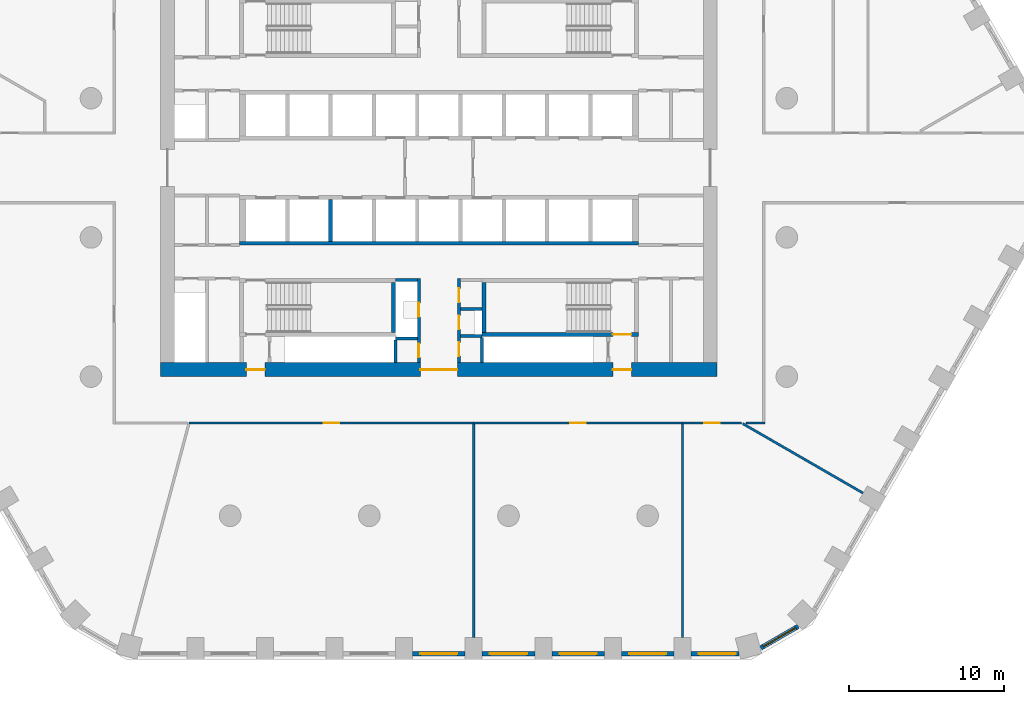
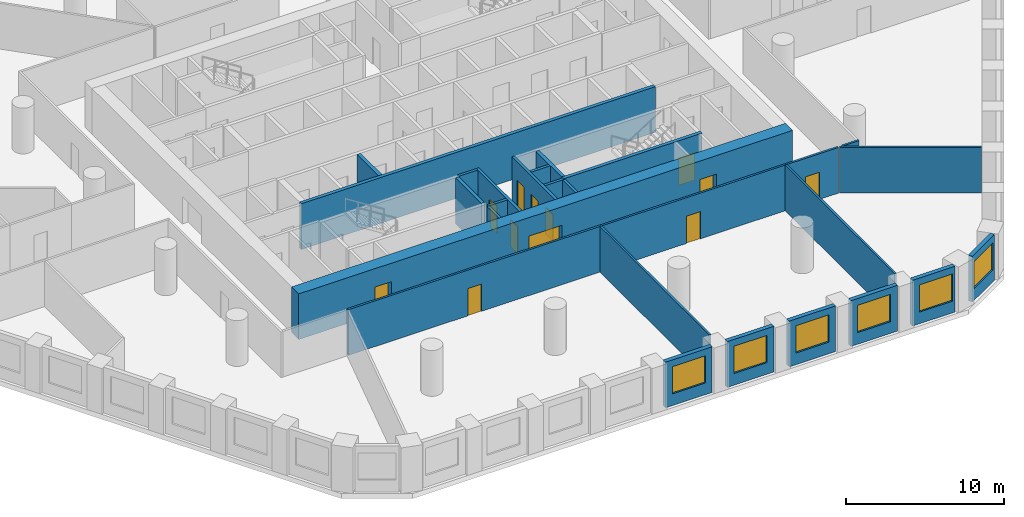
# One storey, part 3 of 10: 27 walls, 12 doors, 6 windows, 18 openings.
"""IFC4 building model written with IfcOpenShell, lengths in metres."""

from ifc_helpers import new_model, si_unit, direction, frame, frame_2d, origin, place, context, subcontext, project, spatial, polyline, rectangle, outline, extrude, material, layer, layer_set, type_object, element, fill, save


model = new_model("IFC4")

# Units and contexts
model_context = context("Model", 3, precision=1e-05, world=origin(), true_north=direction((0.0, 1.0)))
body_context = subcontext(model_context, "Body", "Model", "MODEL_VIEW")
ifc_project = project(units=[si_unit("LENGTHUNIT", "METRE"), si_unit("AREAUNIT", "SQUARE_METRE"), si_unit("VOLUMEUNIT", "CUBIC_METRE"), si_unit("PLANEANGLEUNIT", "RADIAN"), si_unit("MASSUNIT", "GRAM", prefix="KILO")], contexts=[model_context])

# Site, building, storey
site_placement = place(None, origin())
site = spatial("IfcSite", under=ifc_project, at=site_placement, CompositionType="ELEMENT")
building_placement = place(site_placement, origin())
building = spatial("IfcBuilding", under=site, at=building_placement, Name="Dhurran Vertical Campus", CompositionType="ELEMENT")
storey_placement = place(building_placement, frame((0.0, 0.0, 61.199951171875)))
storey = spatial("IfcBuildingStorey", under=building, at=storey_placement, Name="L14", CompositionType="ELEMENT", Elevation=61.199951171875)

# Wall, opening, window
ifc_material_1 = material(Name="Precast concrete C50/60", Category="concrete")
ifc_layer_1 = layer(ifc_material_1, 0.300048828125)
ifc_layer_set_1 = layer_set([ifc_layer_1], Name="Precast concrete C50/60")
wall_type_1 = type_object("IfcWallType", Name="Precast spandrel wall 300", PredefinedType="SOLIDWALL", material=ifc_layer_set_1)
wall_1_placement = place(storey_placement, frame((-1.699462890625, -31.4296875, 0.0), z_axis=(0.0, 0.0, 1.0), x_axis=(1.0, 0.0, 0.0)))
wall_1 = element("IfcWall", 1, at=wall_1_placement, inside=storey, type_object=wall_type_1, Name="EW1 L14.04", PredefinedType="SOLIDWALL", context=body_context, shape_type="SweptSolid", body=[
    extrude(rectangle(XDim=3.39892578125, YDim=0.300048828125, at=frame_2d((1.699462890625, 0.0))), origin(), (0.0, 0.0, 1.0), 3.525146484375),
])
opening_1_placement = place(wall_1_placement, frame((0.49951171875, 0.0, 0.89990234375)))
opening_1 = element("IfcOpeningElement", 2, at=opening_1_placement, cuts=wall_1, Name="Opening WT1", PredefinedType="OPENING", context=body_context, shape_type="SweptSolid", body=[
    extrude(rectangle(XDim=2.39990234375, YDim=2.10009765625, at=frame_2d((1.199951171875, 1.050048828125))), frame((0.0, 0.159912109375, 0.0), z_axis=(0.0, -1.0, 0.0), x_axis=(1.0, 0.0, 0.0)), (0.0, 0.0, 1.0), 0.320068359375),
])
ifc_material_2 = material(Name="Aluminium frame with solar-control glass", Category="aluminium")
window_type = type_object("IfcWindowType", Name="Punched window 2400 x 2100", PartitioningType="SINGLE_PANEL", PredefinedType="WINDOW", material=ifc_material_2)
window_1_placement = place(opening_1_placement, origin())
window_1 = element("IfcWindow", 3, at=window_1_placement, inside=storey, type_object=window_type, Name="WT1 L14.04", OverallHeight=2.10009765625, OverallWidth=2.39990234375, PartitioningType="SINGLE_PANEL", PredefinedType="WINDOW", context=body_context, shape_type="SweptSolid", body=[
    extrude(rectangle(XDim=2.39990234375, YDim=2.10009765625, at=frame_2d((1.199951171875, 1.050048828125))), frame((0.0, 0.030029296875, 0.0), z_axis=(0.0, -1.0, 0.0), x_axis=(1.0, 0.0, 0.0)), (0.0, 0.0, 1.0), 0.06005859375),
])
fill(opening_1, window_1)

wall_2_placement = place(storey_placement, frame((2.800537109375, -31.4296875, 0.0), z_axis=(0.0, 0.0, 1.0), x_axis=(1.0, 0.0, 0.0)))
wall_2 = element("IfcWall", 4, at=wall_2_placement, inside=storey, type_object=wall_type_1, Name="EW1 L14.05", PredefinedType="SOLIDWALL", context=body_context, shape_type="SweptSolid", body=[
    extrude(rectangle(XDim=3.39892578125, YDim=0.300048828125, at=frame_2d((1.699462890625, 0.0))), origin(), (0.0, 0.0, 1.0), 3.525146484375),
])
opening_2_placement = place(wall_2_placement, frame((0.49951171875, 0.0, 0.89990234375)))
opening_2 = element("IfcOpeningElement", 5, at=opening_2_placement, cuts=wall_2, Name="Opening WT1", PredefinedType="OPENING", context=body_context, shape_type="SweptSolid", body=[
    extrude(rectangle(XDim=2.39990234375, YDim=2.10009765625, at=frame_2d((1.199951171875, 1.050048828125))), frame((0.0, 0.159912109375, 0.0), z_axis=(0.0, -1.0, 0.0), x_axis=(1.0, 0.0, 0.0)), (0.0, 0.0, 1.0), 0.320068359375),
])
window_2_placement = place(opening_2_placement, origin())
window_2 = element("IfcWindow", 6, at=window_2_placement, inside=storey, type_object=window_type, Name="WT1 L14.05", OverallHeight=2.10009765625, OverallWidth=2.39990234375, PartitioningType="SINGLE_PANEL", PredefinedType="WINDOW", context=body_context, shape_type="SweptSolid", body=[
    extrude(rectangle(XDim=2.39990234375, YDim=2.10009765625, at=frame_2d((1.199951171875, 1.050048828125))), frame((0.0, 0.030029296875, 0.0), z_axis=(0.0, -1.0, 0.0), x_axis=(1.0, 0.0, 0.0)), (0.0, 0.0, 1.0), 0.06005859375),
])
fill(opening_2, window_2)

wall_3_placement = place(storey_placement, frame((7.300537109375, -31.4296875, 0.0), z_axis=(0.0, 0.0, 1.0), x_axis=(1.0, 0.0, 0.0)))
wall_3 = element("IfcWall", 7, at=wall_3_placement, inside=storey, type_object=wall_type_1, Name="EW1 L14.06", PredefinedType="SOLIDWALL", context=body_context, shape_type="SweptSolid", body=[
    extrude(rectangle(XDim=3.39892578125, YDim=0.300048828125, at=frame_2d((1.699462890625, 0.0))), origin(), (0.0, 0.0, 1.0), 3.525146484375),
])
opening_3_placement = place(wall_3_placement, frame((0.49951171875, 0.0, 0.89990234375)))
opening_3 = element("IfcOpeningElement", 8, at=opening_3_placement, cuts=wall_3, Name="Opening WT1", PredefinedType="OPENING", context=body_context, shape_type="SweptSolid", body=[
    extrude(rectangle(XDim=2.39990234375, YDim=2.10009765625, at=frame_2d((1.199951171875, 1.050048828125))), frame((0.0, 0.159912109375, 0.0), z_axis=(0.0, -1.0, 0.0), x_axis=(1.0, 0.0, 0.0)), (0.0, 0.0, 1.0), 0.320068359375),
])
window_3_placement = place(opening_3_placement, origin())
window_3 = element("IfcWindow", 9, at=window_3_placement, inside=storey, type_object=window_type, Name="WT1 L14.06", OverallHeight=2.10009765625, OverallWidth=2.39990234375, PartitioningType="SINGLE_PANEL", PredefinedType="WINDOW", context=body_context, shape_type="SweptSolid", body=[
    extrude(rectangle(XDim=2.39990234375, YDim=2.10009765625, at=frame_2d((1.199951171875, 1.050048828125))), frame((0.0, 0.030029296875, 0.0), z_axis=(0.0, -1.0, 0.0), x_axis=(1.0, 0.0, 0.0)), (0.0, 0.0, 1.0), 0.06005859375),
])
fill(opening_3, window_3)

wall_4_placement = place(storey_placement, frame((11.800537109375, -31.4296875, 0.0), z_axis=(0.0, 0.0, 1.0), x_axis=(1.0, 0.0, 0.0)))
wall_4 = element("IfcWall", 10, at=wall_4_placement, inside=storey, type_object=wall_type_1, Name="EW1 L14.07", PredefinedType="SOLIDWALL", context=body_context, shape_type="SweptSolid", body=[
    extrude(rectangle(XDim=3.39892578125, YDim=0.300048828125, at=frame_2d((1.699462890625, 0.0))), origin(), (0.0, 0.0, 1.0), 3.525146484375),
])
opening_4_placement = place(wall_4_placement, frame((0.49951171875, 0.0, 0.89990234375)))
opening_4 = element("IfcOpeningElement", 11, at=opening_4_placement, cuts=wall_4, Name="Opening WT1", PredefinedType="OPENING", context=body_context, shape_type="SweptSolid", body=[
    extrude(rectangle(XDim=2.39990234375, YDim=2.10009765625, at=frame_2d((1.199951171875, 1.050048828125))), frame((0.0, 0.159912109375, 0.0), z_axis=(0.0, -1.0, 0.0), x_axis=(1.0, 0.0, 0.0)), (0.0, 0.0, 1.0), 0.320068359375),
])
window_4_placement = place(opening_4_placement, origin())
window_4 = element("IfcWindow", 12, at=window_4_placement, inside=storey, type_object=window_type, Name="WT1 L14.07", OverallHeight=2.10009765625, OverallWidth=2.39990234375, PartitioningType="SINGLE_PANEL", PredefinedType="WINDOW", context=body_context, shape_type="SweptSolid", body=[
    extrude(rectangle(XDim=2.39990234375, YDim=2.10009765625, at=frame_2d((1.199951171875, 1.050048828125))), frame((0.0, 0.030029296875, 0.0), z_axis=(0.0, -1.0, 0.0), x_axis=(1.0, 0.0, 0.0)), (0.0, 0.0, 1.0), 0.06005859375),
])
fill(opening_4, window_4)

wall_5_placement = place(storey_placement, frame((16.300537109375, -31.4296875, 0.0), z_axis=(0.0, 0.0, 1.0), x_axis=(1.0, 0.0, 0.0)))
wall_5 = element("IfcWall", 13, at=wall_5_placement, inside=storey, type_object=wall_type_1, Name="EW1 L14.08", PredefinedType="SOLIDWALL", context=body_context, shape_type="SweptSolid", body=[
    extrude(rectangle(XDim=3.090576171875, YDim=0.300048828125, at=frame_2d((1.54541015625, 0.0))), origin(), (0.0, 0.0, 1.0), 3.525146484375),
])
opening_5_placement = place(wall_5_placement, frame((0.49951171875, 0.0, 0.89990234375)))
opening_5 = element("IfcOpeningElement", 14, at=opening_5_placement, cuts=wall_5, Name="Opening WT1", PredefinedType="OPENING", context=body_context, shape_type="SweptSolid", body=[
    extrude(rectangle(XDim=2.39990234375, YDim=2.10009765625, at=frame_2d((1.199951171875, 1.050048828125))), frame((0.0, 0.159912109375, 0.0), z_axis=(0.0, -1.0, 0.0), x_axis=(1.0, 0.0, 0.0)), (0.0, 0.0, 1.0), 0.320068359375),
])
window_5_placement = place(opening_5_placement, origin())
window_5 = element("IfcWindow", 15, at=window_5_placement, inside=storey, type_object=window_type, Name="WT1 L14.08", OverallHeight=2.10009765625, OverallWidth=2.39990234375, PartitioningType="SINGLE_PANEL", PredefinedType="WINDOW", context=body_context, shape_type="SweptSolid", body=[
    extrude(rectangle(XDim=2.39990234375, YDim=2.10009765625, at=frame_2d((1.199951171875, 1.050048828125))), frame((0.0, 0.030029296875, 0.0), z_axis=(0.0, -1.0, 0.0), x_axis=(1.0, 0.0, 0.0)), (0.0, 0.0, 1.0), 0.06005859375),
])
fill(opening_5, window_5)

wall_6_placement = place(storey_placement, frame((20.81884765625, -31.047119140625, 0.0), z_axis=(0.0, 0.0, 1.0), x_axis=(0.866020456713, 0.500008568482, 0.0)))
wall_6 = element("IfcWall", 16, at=wall_6_placement, inside=storey, type_object=wall_type_1, Name="EW1 L14.09", PredefinedType="SOLIDWALL", context=body_context, shape_type="SweptSolid", body=[
    extrude(rectangle(XDim=2.7822265625, YDim=0.300048828125, at=frame_2d((1.39111328125, 0.0))), origin(), (0.0, 0.0, 1.0), 3.525146484375),
])
opening_6_placement = place(wall_6_placement, frame((0.191162109375, 0.0, 0.89990234375)))
opening_6 = element("IfcOpeningElement", 17, at=opening_6_placement, cuts=wall_6, Name="Opening WT1", PredefinedType="OPENING", context=body_context, shape_type="SweptSolid", body=[
    extrude(rectangle(XDim=2.39990234375, YDim=2.10009765625, at=frame_2d((1.199951171875, 1.050048828125))), frame((0.0, 0.159912109375, 0.0), z_axis=(0.0, -1.0, 0.0), x_axis=(1.0, 0.0, 0.0)), (0.0, 0.0, 1.0), 0.320068359375),
])
window_6_placement = place(opening_6_placement, origin())
window_6 = element("IfcWindow", 18, at=window_6_placement, inside=storey, type_object=window_type, Name="WT1 L14.09", OverallHeight=2.10009765625, OverallWidth=2.39990234375, PartitioningType="SINGLE_PANEL", PredefinedType="WINDOW", context=body_context, shape_type="SweptSolid", body=[
    extrude(rectangle(XDim=2.39990234375, YDim=2.10009765625, at=frame_2d((1.199951171875, 1.050048828125))), frame((0.0, 0.030029296875, 0.0), z_axis=(0.0, -1.0, 0.0), x_axis=(1.0, 0.0, 0.0)), (0.0, 0.0, 1.0), 0.06005859375),
])
fill(opening_6, window_6)

# Wall, openings, doors
ifc_material_3 = material(Name="Concrete C60/75", Category="concrete")
ifc_layer_2 = layer(ifc_material_3, 0.89990234375)
ifc_layer_set_2 = layer_set([ifc_layer_2], Name="Concrete C60/75")
wall_type_2 = type_object("IfcWallType", Name="co-CORE-WALL-C0-900", PredefinedType="SHEAR", material=ifc_layer_set_2)
wall_7_placement = place(storey_placement, frame((-18.0, -13.050048828125, 0.0), z_axis=(0.0, 0.0, 1.0), x_axis=(1.0, 0.0, 0.0)))
wall_7 = element("IfcWall", 19, at=wall_7_placement, inside=storey, type_object=wall_type_2, Name="Core wall S L14", PredefinedType="SHEAR", context=body_context, shape_type="SweptSolid", body=[
    extrude(rectangle(XDim=36.0, YDim=0.89990234375, at=frame_2d((18.0, 0.0))), origin(), (0.0, 0.0, 1.0), 3.525146484375),
])
opening_7_placement = place(wall_7_placement, frame((16.800048828125, 0.0, 0.0)))
opening_7 = element("IfcOpeningElement", 20, at=opening_7_placement, cuts=wall_7, Name="Opening CV2", PredefinedType="OPENING", context=body_context, shape_type="SweptSolid", body=[
    extrude(rectangle(XDim=2.39990234375, YDim=2.10009765625, at=frame_2d((1.199951171875, 1.050048828125))), frame((0.0, 0.4599609375, 0.0), z_axis=(0.0, -1.0, 0.0), x_axis=(1.0, 0.0, 0.0)), (0.0, 0.0, 1.0), 0.919921875),
])
opening_8_placement = place(wall_7_placement, frame((5.550048828125, 0.0, 0.0)))
opening_8 = element("IfcOpeningElement", 21, at=opening_8_placement, cuts=wall_7, Name="Opening XD3", PredefinedType="OPENING", context=body_context, shape_type="SweptSolid", body=[
    extrude(rectangle(XDim=1.199951171875, YDim=2.10009765625, at=frame_2d((0.60009765625, 1.050048828125))), frame((0.0, 0.4599609375, 0.0), z_axis=(0.0, -1.0, 0.0), x_axis=(1.0, 0.0, 0.0)), (0.0, 0.0, 1.0), 0.919921875),
])
opening_9_placement = place(wall_7_placement, frame((29.25, 0.0, 0.0)))
opening_9 = element("IfcOpeningElement", 22, at=opening_9_placement, cuts=wall_7, Name="Opening XD4", PredefinedType="OPENING", context=body_context, shape_type="SweptSolid", body=[
    extrude(rectangle(XDim=1.199951171875, YDim=2.10009765625, at=frame_2d((0.60009765625, 1.050048828125))), frame((0.0, 0.4599609375, 0.0), z_axis=(0.0, -1.0, 0.0), x_axis=(1.0, 0.0, 0.0)), (0.0, 0.0, 1.0), 0.919921875),
])
ifc_material_4 = material(Name="Fire-rated glazed door set")
door_type_1 = type_object("IfcDoorType", Name="co-D-LOBBY 2400x2100", OperationType="DOUBLE_DOOR_DOUBLE_SWING", PredefinedType="DOOR", material=ifc_material_4)
door_1_placement = place(opening_7_placement, origin())
door_1 = element("IfcDoor", 23, at=door_1_placement, inside=storey, type_object=door_type_1, Name="Core vestibule door S L14", OperationType="DOUBLE_DOOR_DOUBLE_SWING", OverallHeight=2.10009765625, OverallWidth=2.39990234375, PredefinedType="DOOR", context=body_context, shape_type="SweptSolid", body=[
    extrude(rectangle(XDim=2.39990234375, YDim=2.10009765625, at=frame_2d((1.199951171875, 1.050048828125))), frame((0.0, 0.02490234375, 0.0), z_axis=(0.0, -1.0, 0.0), x_axis=(1.0, 0.0, 0.0)), (0.0, 0.0, 1.0), 0.050048828125),
])
fill(opening_7, door_1)
ifc_material_5 = material(Name="Fire-rated steel door set", Category="steel")
door_type_2 = type_object("IfcDoorType", Name="co-D-STAIR-EXIT 1200x2100", OperationType="SINGLE_SWING_RIGHT", PredefinedType="DOOR", material=ifc_material_5)
door_2_placement = place(opening_8_placement, origin())
door_2 = element("IfcDoor", 24, at=door_2_placement, inside=storey, type_object=door_type_2, Name="Stair ST3 exit door L14", OperationType="SINGLE_SWING_RIGHT", OverallHeight=2.10009765625, OverallWidth=1.199951171875, PredefinedType="DOOR", context=body_context, shape_type="SweptSolid", body=[
    extrude(rectangle(XDim=1.199951171875, YDim=2.10009765625, at=frame_2d((0.60009765625, 1.050048828125))), frame((0.0, 0.02490234375, 0.0), z_axis=(0.0, -1.0, 0.0), x_axis=(1.0, 0.0, 0.0)), (0.0, 0.0, 1.0), 0.050048828125),
])
fill(opening_8, door_2)
door_3_placement = place(opening_9_placement, origin())
door_3 = element("IfcDoor", 25, at=door_3_placement, inside=storey, type_object=door_type_2, Name="Stair ST4 exit door L14", OperationType="SINGLE_SWING_RIGHT", OverallHeight=2.10009765625, OverallWidth=1.199951171875, PredefinedType="DOOR", context=body_context, shape_type="SweptSolid", body=[
    extrude(rectangle(XDim=1.199951171875, YDim=2.10009765625, at=frame_2d((0.60009765625, 1.050048828125))), frame((0.0, 0.02490234375, 0.0), z_axis=(0.0, -1.0, 0.0), x_axis=(1.0, 0.0, 0.0)), (0.0, 0.0, 1.0), 0.050048828125),
])
fill(opening_9, door_3)

# Walls
ifc_material_6 = material(Name="Fire-rated masonry blockwork", Category="masonry")
ifc_layer_3 = layer(ifc_material_6, 0.199951171875)
ifc_layer_set_3 = layer_set([ifc_layer_3], Name="Fire-rated masonry blockwork")
wall_type_3 = type_object("IfcWallType", Name="co-FIRE-PARTITION-200", PredefinedType="PARTITIONING", material=ifc_layer_set_3)
for number, where, z_axis, x_axis, name in (
    (26, (-2.800048828125, -7.25, 0.0), (0.0, 0.0, 1.0), (1.0, 0.0, 0.0), "Core partition sl-SW-S L14"),
    (27, (-2.800048828125, -11.02490234375, 0.0), (0.0, 0.0, 1.0), (1.0, 0.0, 0.0), "Core partition sl-SW-cut0 L14"),
    (28, (1.39990234375, -9.135009765625, 0.0), (0.0, 0.0, 1.0), (1.0, 0.0, 0.0), "Core partition sl-SE-cut0 L14"),
    (29, (1.39990234375, -10.867431640625, 0.0), (0.0, 0.0, 1.0), (1.0, 0.0, 0.0), "Core partition sl-SE-cut1 L14"),
):
    element("IfcWall", number, at=place(storey_placement, frame(where, z_axis=z_axis, x_axis=x_axis)), inside=storey, type_object=wall_type_3, Name=name, PredefinedType="PARTITIONING", context=body_context, shape_type="SweptSolid", body=[
        extrude(rectangle(XDim=1.400146484375, YDim=0.199951171875, at=frame_2d((0.7001953125, 0.0))), origin(), (0.0, 0.0, 1.0), 3.525146484375),
    ])

# Wall, openings, doors
wall_8_placement = place(storey_placement, frame((-1.300048828125, -12.60009765625, 0.0), z_axis=(0.0, 0.0, 1.0), x_axis=(0.0, 1.0, 0.0)))
wall_8 = element("IfcWall", 30, at=wall_8_placement, inside=storey, type_object=wall_type_3, Name="Core partition vest-SW L14", PredefinedType="PARTITIONING", context=body_context, shape_type="SweptSolid", body=[
    extrude(rectangle(XDim=5.4501953125, YDim=0.199951171875, at=frame_2d((2.72509765625, 0.0))), origin(), (0.0, 0.0, 1.0), 3.525146484375),
])
opening_10_placement = place(wall_8_placement, frame((0.33740234375, 0.0, 0.0)))
opening_10 = element("IfcOpeningElement", 31, at=opening_10_placement, cuts=wall_8, Name="Opening T03-C1", PredefinedType="OPENING", context=body_context, shape_type="SweptSolid", body=[
    extrude(rectangle(XDim=0.89990234375, YDim=2.10009765625, at=frame_2d((0.449951171875, 1.050048828125))), frame((0.0, 0.10986328125, 0.0), z_axis=(0.0, -1.0, 0.0), x_axis=(1.0, 0.0, 0.0)), (0.0, 0.0, 1.0), 0.219970703125),
])
opening_11_placement = place(wall_8_placement, frame((2.96240234375, 0.0, 0.0)))
opening_11 = element("IfcOpeningElement", 32, at=opening_11_placement, cuts=wall_8, Name="Opening T03-C2", PredefinedType="OPENING", context=body_context, shape_type="SweptSolid", body=[
    extrude(rectangle(XDim=0.89990234375, YDim=2.10009765625, at=frame_2d((0.449951171875, 1.050048828125))), frame((0.0, 0.10986328125, 0.0), z_axis=(0.0, -1.0, 0.0), x_axis=(1.0, 0.0, 0.0)), (0.0, 0.0, 1.0), 0.219970703125),
])
ifc_material_7 = material(Name="Fire-rated timber door set", Category="wood")
door_type_3 = type_object("IfcDoorType", Name="co-D-ROOM 900x2100", OperationType="SINGLE_SWING_LEFT", PredefinedType="DOOR", material=ifc_material_7)
door_4_placement = place(opening_10_placement, origin())
door_4 = element("IfcDoor", 33, at=door_4_placement, inside=storey, type_object=door_type_3, Name="Plant room door L14", OperationType="SINGLE_SWING_LEFT", OverallHeight=2.10009765625, OverallWidth=0.89990234375, PredefinedType="DOOR", context=body_context, shape_type="SweptSolid", body=[
    extrude(rectangle(XDim=0.89990234375, YDim=2.10009765625, at=frame_2d((0.449951171875, 1.050048828125))), frame((0.0, 0.02490234375, 0.0), z_axis=(0.0, -1.0, 0.0), x_axis=(1.0, 0.0, 0.0)), (0.0, 0.0, 1.0), 0.050048828125),
])
fill(opening_10, door_4)
door_5_placement = place(opening_11_placement, origin())
door_5 = element("IfcDoor", 34, at=door_5_placement, inside=storey, type_object=door_type_3, Name="Water riser door L14", OperationType="SINGLE_SWING_LEFT", OverallHeight=2.10009765625, OverallWidth=0.89990234375, PredefinedType="DOOR", context=body_context, shape_type="SweptSolid", body=[
    extrude(rectangle(XDim=0.89990234375, YDim=2.10009765625, at=frame_2d((0.449951171875, 1.050048828125))), frame((0.0, 0.02490234375, 0.0), z_axis=(0.0, -1.0, 0.0), x_axis=(1.0, 0.0, 0.0)), (0.0, 0.0, 1.0), 0.050048828125),
])
fill(opening_11, door_5)

wall_9_placement = place(storey_placement, frame((1.300048828125, -12.60009765625, 0.0), z_axis=(0.0, 0.0, 1.0), x_axis=(0.0, 1.0, 0.0)))
wall_9 = element("IfcWall", 35, at=wall_9_placement, inside=storey, type_object=wall_type_3, Name="Core partition vest-SE L14", PredefinedType="PARTITIONING", context=body_context, shape_type="SweptSolid", body=[
    extrude(rectangle(XDim=5.4501953125, YDim=0.199951171875, at=frame_2d((2.72509765625, 0.0))), origin(), (0.0, 0.0, 1.0), 3.525146484375),
])
opening_12_placement = place(wall_9_placement, frame((0.416259765625, 0.0, 0.0)))
opening_12 = element("IfcOpeningElement", 36, at=opening_12_placement, cuts=wall_9, Name="Opening T03-C3", PredefinedType="OPENING", context=body_context, shape_type="SweptSolid", body=[
    extrude(rectangle(XDim=0.89990234375, YDim=2.10009765625, at=frame_2d((0.449951171875, 1.050048828125))), frame((0.0, 0.10986328125, 0.0), z_axis=(0.0, -1.0, 0.0), x_axis=(1.0, 0.0, 0.0)), (0.0, 0.0, 1.0), 0.219970703125),
])
opening_13_placement = place(wall_9_placement, frame((2.148681640625, 0.0, 0.0)))
opening_13 = element("IfcOpeningElement", 37, at=opening_13_placement, cuts=wall_9, Name="Opening T03-C4", PredefinedType="OPENING", context=body_context, shape_type="SweptSolid", body=[
    extrude(rectangle(XDim=0.89990234375, YDim=2.10009765625, at=frame_2d((0.449951171875, 1.050048828125))), frame((0.0, 0.10986328125, 0.0), z_axis=(0.0, -1.0, 0.0), x_axis=(1.0, 0.0, 0.0)), (0.0, 0.0, 1.0), 0.219970703125),
])
opening_14_placement = place(wall_9_placement, frame((3.907470703125, 0.0, 0.0)))
opening_14 = element("IfcOpeningElement", 38, at=opening_14_placement, cuts=wall_9, Name="Opening T03-C5", PredefinedType="OPENING", context=body_context, shape_type="SweptSolid", body=[
    extrude(rectangle(XDim=0.89990234375, YDim=2.10009765625, at=frame_2d((0.449951171875, 1.050048828125))), frame((0.0, 0.10986328125, 0.0), z_axis=(0.0, -1.0, 0.0), x_axis=(1.0, 0.0, 0.0)), (0.0, 0.0, 1.0), 0.219970703125),
])
door_6_placement = place(opening_12_placement, origin())
door_6 = element("IfcDoor", 39, at=door_6_placement, inside=storey, type_object=door_type_3, Name="Waste room door L14", OperationType="SINGLE_SWING_LEFT", OverallHeight=2.10009765625, OverallWidth=0.89990234375, PredefinedType="DOOR", context=body_context, shape_type="SweptSolid", body=[
    extrude(rectangle(XDim=0.89990234375, YDim=2.10009765625, at=frame_2d((0.449951171875, 1.050048828125))), frame((0.0, 0.02490234375, 0.0), z_axis=(0.0, -1.0, 0.0), x_axis=(1.0, 0.0, 0.0)), (0.0, 0.0, 1.0), 0.050048828125),
])
fill(opening_12, door_6)
door_7_placement = place(opening_13_placement, origin())
door_7 = element("IfcDoor", 40, at=door_7_placement, inside=storey, type_object=door_type_3, Name="Electrical riser door L14", OperationType="SINGLE_SWING_LEFT", OverallHeight=2.10009765625, OverallWidth=0.89990234375, PredefinedType="DOOR", context=body_context, shape_type="SweptSolid", body=[
    extrude(rectangle(XDim=0.89990234375, YDim=2.10009765625, at=frame_2d((0.449951171875, 1.050048828125))), frame((0.0, 0.02490234375, 0.0), z_axis=(0.0, -1.0, 0.0), x_axis=(1.0, 0.0, 0.0)), (0.0, 0.0, 1.0), 0.050048828125),
])
fill(opening_13, door_7)
door_8_placement = place(opening_14_placement, origin())
door_8 = element("IfcDoor", 41, at=door_8_placement, inside=storey, type_object=door_type_3, Name="Housekeeping store door L14", OperationType="SINGLE_SWING_LEFT", OverallHeight=2.10009765625, OverallWidth=0.89990234375, PredefinedType="DOOR", context=body_context, shape_type="SweptSolid", body=[
    extrude(rectangle(XDim=0.89990234375, YDim=2.10009765625, at=frame_2d((0.449951171875, 1.050048828125))), frame((0.0, 0.02490234375, 0.0), z_axis=(0.0, -1.0, 0.0), x_axis=(1.0, 0.0, 0.0)), (0.0, 0.0, 1.0), 0.050048828125),
])
fill(opening_14, door_8)

# Walls
wall_10_placement = place(storey_placement, frame((-2.800048828125, -12.59912109375, 0.0), z_axis=(0.0, 0.0, 1.0), x_axis=(0.0, 1.0, 0.0)))
element("IfcWall", 42, at=wall_10_placement, inside=storey, type_object=wall_type_3, Name="Riser enclosure wall L14", PredefinedType="PARTITIONING", context=body_context, shape_type="SweptSolid", body=[
    extrude(rectangle(XDim=1.47314453125, YDim=0.199951171875, at=frame_2d((0.736572265625, 0.0))), origin(), (0.0, 0.0, 1.0), 3.525146484375),
])
wall_11_placement = place(storey_placement, frame((2.800048828125, -10.968505859375, 0.0), z_axis=(0.0, 0.0, 1.0), x_axis=(0.0, -1.0, 0.0)))
element("IfcWall", 43, at=wall_11_placement, inside=storey, type_object=wall_type_3, Name="Riser enclosure wall L14", PredefinedType="PARTITIONING", context=body_context, shape_type="SweptSolid", body=[
    extrude(rectangle(XDim=1.630615234375, YDim=0.199951171875, at=frame_2d((0.8154296875, 0.0))), origin(), (0.0, 0.0, 1.0), 3.525146484375),
])
ifc_material_8 = material(Name="Concrete C50/60", Category="concrete")
ifc_layer_4 = layer(ifc_material_8, 0.25)
ifc_layer_set_4 = layer_set([ifc_layer_4], Name="Concrete C50/60")
wall_type_4 = type_object("IfcWallType", Name="co-SHAFT-MASS-250", PredefinedType="SHEAR", material=ifc_layer_set_4)
wall_12_placement = place(storey_placement, origin())
element("IfcWall", 44, at=wall_12_placement, inside=storey, type_object=wall_type_4, Name="Lift shaft wall S L14 1", PredefinedType="SHEAR", context=body_context, shape_type="SweptSolid", body=[
    extrude(outline(polyline([(-12.89990234375, -5.0), (12.89990234375, -5.0), (12.89990234375, -4.75), (-12.89990234375, -4.75), (-12.89990234375, -5.0)])), origin(), (0.0, 0.0, 1.0), 3.525146484375),
])
wall_13_placement = place(storey_placement, origin())
element("IfcWall", 45, at=wall_13_placement, inside=storey, type_object=wall_type_4, Name="Lift shaft wall S L14 4", PredefinedType="SHEAR", context=body_context, shape_type="SweptSolid", body=[
    extrude(outline(polyline([(-7.125, -4.75), (-6.875, -4.75), (-6.875, -2.050048828125), (-7.125, -2.050048828125), (-7.125, -4.75)])), origin(), (0.0, 0.0, 1.0), 3.525146484375),
])
ifc_material_9 = material(Name="Concrete C40/50", Category="concrete")
ifc_layer_5 = layer(ifc_material_9, 0.25)
ifc_layer_set_5 = layer_set([ifc_layer_5], Name="Concrete C40/50")
wall_type_5 = type_object("IfcWallType", Name="co-STAIR-WALL-250", PredefinedType="SHEAR", material=ifc_layer_set_5)
wall_14_placement = place(storey_placement, frame((-2.925048828125, -10.64990234375, 0.0), z_axis=(0.0, 0.0, 1.0), x_axis=(0.0, 1.0, 0.0)))
element("IfcWall", 46, at=wall_14_placement, inside=storey, type_object=wall_type_5, Name="Stair ST3 enclosure wall L14", PredefinedType="SHEAR", context=body_context, shape_type="SweptSolid", body=[
    extrude(rectangle(XDim=3.25, YDim=0.25, at=frame_2d((1.625, 0.0))), origin(), (0.0, 0.0, 1.0), 3.525146484375),
])

# Wall, opening, door
wall_15_placement = place(storey_placement, frame((2.800048828125, -10.77490234375, 0.0), z_axis=(0.0, 0.0, 1.0), x_axis=(1.0, 0.0, 0.0)))
wall_15 = element("IfcWall", 47, at=wall_15_placement, inside=storey, type_object=wall_type_5, Name="Stair ST4 enclosure wall L14", PredefinedType="SHEAR", context=body_context, shape_type="SweptSolid", body=[
    extrude(rectangle(XDim=10.099853515625, YDim=0.25, at=frame_2d((5.0498046875, 0.0))), origin(), (0.0, 0.0, 1.0), 3.525146484375),
])
opening_15_placement = place(wall_15_placement, frame((8.449951171875, 0.0, 0.0)))
opening_15 = element("IfcOpeningElement", 48, at=opening_15_placement, cuts=wall_15, Name="Opening XS4", PredefinedType="OPENING", context=body_context, shape_type="SweptSolid", body=[
    extrude(rectangle(XDim=1.199951171875, YDim=2.10009765625, at=frame_2d((0.60009765625, 1.050048828125))), frame((0.0, 0.135009765625, 0.0), z_axis=(0.0, -1.0, 0.0), x_axis=(1.0, 0.0, 0.0)), (0.0, 0.0, 1.0), 0.27001953125),
])
door_9_placement = place(opening_15_placement, origin())
door_9 = element("IfcDoor", 49, at=door_9_placement, inside=storey, type_object=door_type_2, Name="Stair ST4 discharge door L14", OperationType="SINGLE_SWING_RIGHT", OverallHeight=2.10009765625, OverallWidth=1.199951171875, PredefinedType="DOOR", context=body_context, shape_type="SweptSolid", body=[
    extrude(rectangle(XDim=1.199951171875, YDim=2.10009765625, at=frame_2d((0.60009765625, 1.050048828125))), frame((0.0, 0.02490234375, 0.0), z_axis=(0.0, -1.0, 0.0), x_axis=(1.0, 0.0, 0.0)), (0.0, 0.0, 1.0), 0.050048828125),
])
fill(opening_15, door_9)

# Wall
wall_16_placement = place(storey_placement, frame((2.925048828125, -10.64990234375, 0.0), z_axis=(0.0, 0.0, 1.0), x_axis=(0.0, 1.0, 0.0)))
element("IfcWall", 50, at=wall_16_placement, inside=storey, type_object=wall_type_5, Name="Stair ST4 enclosure wall L14", PredefinedType="SHEAR", context=body_context, shape_type="SweptSolid", body=[
    extrude(rectangle(XDim=3.25, YDim=0.25, at=frame_2d((1.625, 0.0))), origin(), (0.0, 0.0, 1.0), 3.525146484375),
])

# Wall, opening, door
ifc_material_10 = material(Name="Gypsum board corridor wall on steel studs", Category="steel")
ifc_layer_6 = layer(ifc_material_10, 0.14990234375)
ifc_layer_set_6 = layer_set([ifc_layer_6], Name="Gypsum board corridor wall on steel studs")
wall_type_6 = type_object("IfcWallType", Name="fl-CW-150 corridor wall", PredefinedType="PARTITIONING", material=ifc_layer_set_6)
wall_17_placement = place(storey_placement, frame((-16.156005859375, -16.5, 0.0), z_axis=(0.0, 0.0, 1.0), x_axis=(1.0, 0.0, 0.0)))
wall_17 = element("IfcWall", 51, at=wall_17_placement, inside=storey, type_object=wall_type_6, Name="Partition 14-18", PredefinedType="PARTITIONING", context=body_context, shape_type="SweptSolid", body=[
    extrude(rectangle(XDim=18.406005859375, YDim=0.14990234375, at=frame_2d((9.203125, 0.0))), origin(), (0.0, 0.0, 1.0), 3.525146484375),
])
opening_16_placement = place(wall_17_placement, frame((8.702880859375, 0.0, 0.0)))
opening_16 = element("IfcOpeningElement", 52, at=opening_16_placement, cuts=wall_17, Name="Opening T03.07", PredefinedType="OPENING", context=body_context, shape_type="SweptSolid", body=[
    extrude(rectangle(XDim=1.0, YDim=2.10009765625, at=frame_2d((0.5, 1.050048828125))), frame((0.0, 0.0849609375, 0.0), z_axis=(0.0, -1.0, 0.0), x_axis=(1.0, 0.0, 0.0)), (0.0, 0.0, 1.0), 0.169921875),
])
ifc_material_11 = material(Name="Solid-core timber door set, fire-rated", Category="wood")
door_type_4 = type_object("IfcDoorType", Name="fl-D-1000x2100", OperationType="SINGLE_SWING_LEFT", PredefinedType="DOOR", material=ifc_material_11)
door_10_placement = place(opening_16_placement, origin())
door_10 = element("IfcDoor", 53, at=door_10_placement, inside=storey, type_object=door_type_4, Name="Door 14.07", OperationType="SINGLE_SWING_RIGHT", OverallHeight=2.10009765625, OverallWidth=1.0, PredefinedType="DOOR", context=body_context, shape_type="SweptSolid", body=[
    extrude(rectangle(XDim=1.0, YDim=2.10009765625, at=frame_2d((0.5, 1.050048828125))), frame((0.0, 0.02490234375, 0.0), z_axis=(0.0, -1.0, 0.0), x_axis=(1.0, 0.0, 0.0)), (0.0, 0.0, 1.0), 0.050048828125),
])
fill(opening_16, door_10)

wall_18_placement = place(storey_placement, frame((2.25, -16.5, 0.0), z_axis=(0.0, 0.0, 1.0), x_axis=(1.0, 0.0, 0.0)))
wall_18 = element("IfcWall", 54, at=wall_18_placement, inside=storey, type_object=wall_type_6, Name="Partition 14-25", PredefinedType="PARTITIONING", context=body_context, shape_type="SweptSolid", body=[
    extrude(rectangle(XDim=13.5, YDim=0.14990234375, at=frame_2d((6.75, 0.0))), origin(), (0.0, 0.0, 1.0), 3.525146484375),
])
opening_17_placement = place(wall_18_placement, frame((6.25, 0.0, 0.0)))
opening_17 = element("IfcOpeningElement", 55, at=opening_17_placement, cuts=wall_18, Name="Opening T03.11", PredefinedType="OPENING", context=body_context, shape_type="SweptSolid", body=[
    extrude(rectangle(XDim=1.0, YDim=2.10009765625, at=frame_2d((0.5, 1.050048828125))), frame((0.0, 0.0849609375, 0.0), z_axis=(0.0, -1.0, 0.0), x_axis=(1.0, 0.0, 0.0)), (0.0, 0.0, 1.0), 0.169921875),
])
door_11_placement = place(opening_17_placement, origin())
door_11 = element("IfcDoor", 56, at=door_11_placement, inside=storey, type_object=door_type_4, Name="Door 14.11", OperationType="SINGLE_SWING_LEFT", OverallHeight=2.10009765625, OverallWidth=1.0, PredefinedType="DOOR", context=body_context, shape_type="SweptSolid", body=[
    extrude(rectangle(XDim=1.0, YDim=2.10009765625, at=frame_2d((0.5, 1.050048828125))), frame((0.0, 0.02490234375, 0.0), z_axis=(0.0, -1.0, 0.0), x_axis=(1.0, 0.0, 0.0)), (0.0, 0.0, 1.0), 0.050048828125),
])
fill(opening_17, door_11)

wall_19_placement = place(storey_placement, frame((15.75, -16.5, 0.0), z_axis=(0.0, 0.0, 1.0), x_axis=(1.0, 0.0, 0.0)))
wall_19 = element("IfcWall", 57, at=wall_19_placement, inside=storey, type_object=wall_type_6, Name="Partition 14-38", PredefinedType="PARTITIONING", context=body_context, shape_type="SweptSolid", body=[
    extrude(rectangle(XDim=3.8291015625, YDim=0.14990234375, at=frame_2d((1.91455078125, 0.0))), origin(), (0.0, 0.0, 1.0), 3.525146484375),
])
opening_18_placement = place(wall_19_placement, frame((1.41455078125, 0.0, 0.0)))
opening_18 = element("IfcOpeningElement", 58, at=opening_18_placement, cuts=wall_19, Name="Opening T03.13", PredefinedType="OPENING", context=body_context, shape_type="SweptSolid", body=[
    extrude(rectangle(XDim=1.0, YDim=2.10009765625, at=frame_2d((0.5, 1.050048828125))), frame((0.0, 0.0849609375, 0.0), z_axis=(0.0, -1.0, 0.0), x_axis=(1.0, 0.0, 0.0)), (0.0, 0.0, 1.0), 0.169921875),
])
door_12_placement = place(opening_18_placement, origin())
door_12 = element("IfcDoor", 59, at=door_12_placement, inside=storey, type_object=door_type_4, Name="Door 14.13", OperationType="SINGLE_SWING_RIGHT", OverallHeight=2.10009765625, OverallWidth=1.0, PredefinedType="DOOR", context=body_context, shape_type="SweptSolid", body=[
    extrude(rectangle(XDim=1.0, YDim=2.10009765625, at=frame_2d((0.5, 1.050048828125))), frame((0.0, 0.02490234375, 0.0), z_axis=(0.0, -1.0, 0.0), x_axis=(1.0, 0.0, 0.0)), (0.0, 0.0, 1.0), 0.050048828125),
])
fill(opening_18, door_12)

# Walls
wall_20_placement = place(storey_placement, frame((19.85400390625, -16.5, 0.0), z_axis=(0.0, 0.0, 1.0), x_axis=(1.0, 0.0, 0.0)))
element("IfcWall", 60, at=wall_20_placement, inside=storey, type_object=wall_type_6, Name="Partition 14-39", PredefinedType="PARTITIONING", context=body_context, shape_type="SweptSolid", body=[
    extrude(rectangle(XDim=1.220947265625, YDim=0.14990234375, at=frame_2d((0.6103515625, 0.0))), origin(), (0.0, 0.0, 1.0), 3.525146484375),
])
ifc_material_12 = material(Name="Gypsum board partition on steel studs", Category="steel")
ifc_layer_7 = layer(ifc_material_12, 0.14990234375)
ifc_layer_set_7 = layer_set([ifc_layer_7], Name="Gypsum board partition on steel studs")
wall_type_7 = type_object("IfcWallType", Name="fl-PW-150 fixed partition", PredefinedType="PARTITIONING", material=ifc_layer_set_7)
for number, where, z_axis, x_axis, name in (
    (61, (2.25, -16.574951171875, 0.0), (0.0, 0.0, 1.0), (0.0, -1.0, 0.0), "Partition 14-24"),
    (62, (15.75, -16.574951171875, 0.0), (0.0, 0.0, 1.0), (0.0, -1.0, 0.0), "Partition 14-37"),
):
    element("IfcWall", number, at=place(storey_placement, frame(where, z_axis=z_axis, x_axis=x_axis)), inside=storey, type_object=wall_type_7, Name=name, PredefinedType="PARTITIONING", context=body_context, shape_type="SweptSolid", body=[
        extrude(rectangle(XDim=13.784912109375, YDim=0.14990234375, at=frame_2d((6.892578125, 0.0))), origin(), (0.0, 0.0, 1.0), 3.525146484375),
    ])
wall_21_placement = place(storey_placement, frame((19.643798828125, -16.53759765625, 0.0), z_axis=(0.0, 0.0, 1.0), x_axis=(0.866004853516, -0.500035592419, 0.0)))
element("IfcWall", 63, at=wall_21_placement, inside=storey, type_object=wall_type_7, Name="Partition 14-40", PredefinedType="PARTITIONING", context=body_context, shape_type="SweptSolid", body=[
    extrude(rectangle(XDim=8.975830078125, YDim=0.14990234375, at=frame_2d((4.48779296875, 0.0))), origin(), (0.0, 0.0, 1.0), 3.525146484375),
])

save(model, "model.ifc")
